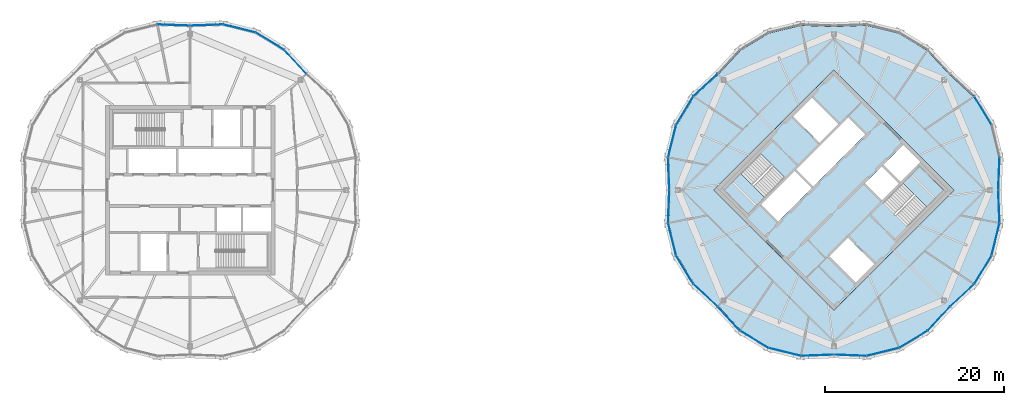
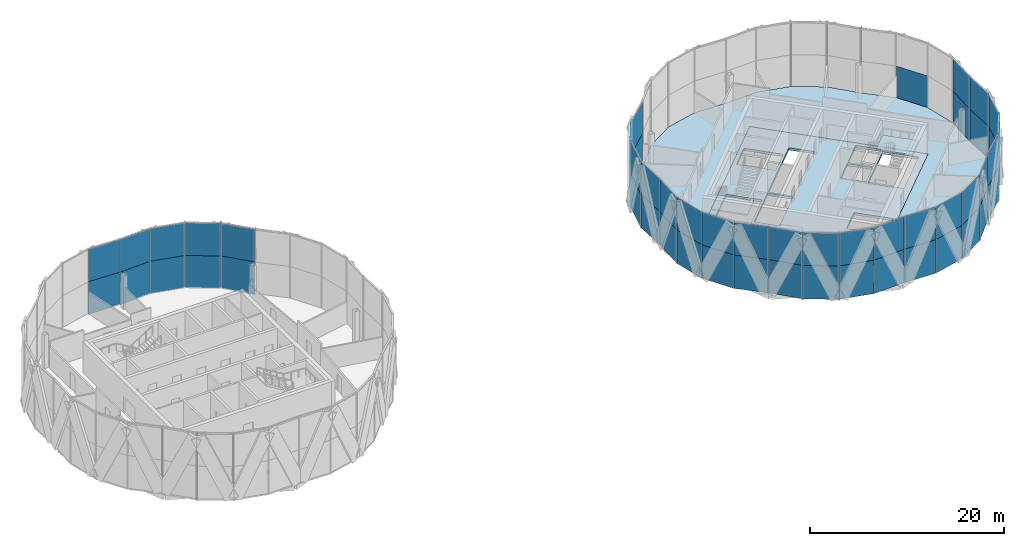
# One storey, part 13 of 22: 53 plates, 4 slabs, 10 elements without a shape of their own.
"""IFC4 building model written with IfcOpenShell, lengths in metres."""

from ifc_helpers import new_model, si_unit, direction, frame, origin, origin_2d, place, context, subcontext, project, spatial, polyline, rectangle, outline, extrude, material, layer, layer_set, type_object, element, aggregate, save


model = new_model("IFC4")

# Units and contexts
model_context = context("Model", 3, precision=1e-05, world=origin(), true_north=direction((0.0, 1.0)))
body_context = subcontext(model_context, "Body", "Model", "MODEL_VIEW")
ifc_project = project(units=[si_unit("LENGTHUNIT", "METRE"), si_unit("AREAUNIT", "SQUARE_METRE"), si_unit("VOLUMEUNIT", "CUBIC_METRE"), si_unit("PLANEANGLEUNIT", "RADIAN"), si_unit("MASSUNIT", "GRAM", prefix="KILO")], contexts=[model_context])

# Site, building, storey
site_placement = place(None, origin())
site = spatial("IfcSite", under=ifc_project, at=site_placement, CompositionType="ELEMENT")
building_placement = place(site_placement, origin())
building = spatial("IfcBuilding", under=site, at=building_placement, Name="Ogive Gate Towers", CompositionType="ELEMENT")
storey_placement = place(building_placement, frame((0.0, 0.0, 285.60009765625)))
storey = spatial("IfcBuildingStorey", under=building, at=storey_placement, Name="L67", CompositionType="ELEMENT", Elevation=285.60009765625)

# Slabs
ifc_material_1 = material(Name="Concrete C40/50", Category="concrete")
ifc_layer_1 = layer(ifc_material_1, 0.300048828125)
ifc_layer_set_1 = layer_set([ifc_layer_1], Name="Core slab C40/50 300 mm")
slab_type_1 = type_object("IfcSlabType", Name="Core slab C40/50 300 mm", PredefinedType="FLOOR", material=ifc_layer_set_1)
slab_1_placement = place(storey_placement, frame((0.0, 0.0, -0.300048828125)))
element("IfcSlab", 1, at=slab_1_placement, inside=storey, type_object=slab_type_1, Name="T2 L67 core slab", PredefinedType="FLOOR", context=body_context, shape_type="SweptSolid", body=[
    extrude(outline(polyline([(36.0, -13.43505859375), (22.56494140625, 0.0), (36.0, 13.43505859375), (49.43505859375, 0.0), (36.0, -13.43505859375)]), holes=[polyline([(29.777587890625, -3.500244140625), (33.525146484375, 0.24755859375), (31.615966796875, 2.15673828125), (27.868408203125, -1.591064453125), (29.777587890625, -3.500244140625)]), polyline([(31.792724609375, 2.33349609375), (33.701904296875, 0.42431640625), (39.500244140625, 6.222412109375), (37.591064453125, 8.131591796875), (31.792724609375, 2.33349609375)]), polyline([(41.3740234375, 2.651611328125), (39.500244140625, 0.77783203125), (41.409423828125, -1.13134765625), (43.283203125, 0.742431640625), (41.3740234375, 2.651611328125)]), polyline([(45.669677734375, 3.12890625), (43.760498046875, 5.0380859375), (41.55078125, 2.828369140625), (43.4599609375, 0.919189453125), (45.669677734375, 3.12890625)]), polyline([(34.408935546875, 5.30322265625), (36.4951171875, 7.389404296875), (33.542724609375, 10.34130859375), (31.456787109375, 8.255615234375), (34.408935546875, 5.30322265625)]), polyline([(35.5048828125, -7.389404296875), (38.457275390625, -10.34130859375), (40.543212890625, -8.255615234375), (37.591064453125, -5.30322265625), (35.5048828125, -7.389404296875)]), polyline([(26.40087890625, -2.70458984375), (30.512939453125, 1.406982421875), (27.80810546875, 4.11181640625), (23.6962890625, 0.0), (26.40087890625, -2.70458984375)]), polyline([(48.3037109375, 0.0), (45.59912109375, 2.70458984375), (41.487060546875, -1.406982421875), (44.19189453125, -4.11181640625), (48.3037109375, 0.0)])]), origin(), (0.0, 0.0, 1.0), 0.300048828125),
])
ifc_material_2 = material(Name="Concrete C35/45", Category="concrete")
ifc_layer_2 = layer(ifc_material_2, 0.300048828125)
ifc_layer_set_2 = layer_set([ifc_layer_2], Name="Floor slab 300")
slab_type_2 = type_object("IfcSlabType", Name="Floor slab 300", PredefinedType="FLOOR", material=ifc_layer_set_2)
slab_2_placement = place(storey_placement, frame((0.0, 0.0, -0.300048828125)))
element("IfcSlab", 2, at=slab_2_placement, inside=storey, type_object=slab_type_2, Name="T2/L67/SSL001", PredefinedType="FLOOR", context=body_context, shape_type="SweptSolid", body=[
    extrude(outline(polyline([(54.438720703125, -3.667724609375), (54.300048828125, 0.0), (54.438720703125, 3.667724609375), (53.5537109375, 7.27099609375), (51.631591796875, 10.44482421875), (48.93994140625, 12.93994140625), (46.44482421875, 15.631591796875), (43.27099609375, 17.5537109375), (39.667724609375, 18.438720703125), (36.0, 18.300048828125), (32.332275390625, 18.438720703125), (28.72900390625, 17.5537109375), (25.55517578125, 15.631591796875), (23.06005859375, 12.93994140625), (20.368408203125, 10.44482421875), (18.4462890625, 7.27099609375), (17.561279296875, 3.667724609375), (17.699951171875, 0.0), (17.561279296875, -3.667724609375), (18.4462890625, -7.27099609375), (20.368408203125, -10.44482421875), (23.06005859375, -12.93994140625), (25.55517578125, -15.631591796875), (28.72900390625, -17.5537109375), (32.332275390625, -18.438720703125), (36.0, -18.300048828125), (39.667724609375, -18.438720703125), (43.27099609375, -17.5537109375), (46.44482421875, -15.631591796875), (48.93994140625, -12.93994140625), (51.631591796875, -10.44482421875), (53.5537109375, -7.27099609375), (54.438720703125, -3.667724609375)]), holes=[polyline([(49.43505859375, 0.0), (36.0, -13.43505859375), (22.56494140625, 0.0), (36.0, 13.43505859375), (49.43505859375, 0.0)])]), origin(), (0.0, 0.0, 1.0), 0.300048828125),
])

# Stair, slab
stair_type = type_object("IfcStairType", Name="Escape stair 1840 wide", PredefinedType="HALF_TURN_STAIR", material=ifc_material_1)
stair_1_placement = place(storey_placement, origin())
stair_1 = element("IfcStair", 3, at=stair_1_placement, inside=storey, type_object=stair_type, Name="L67 Escape stair 1", PredefinedType="HALF_TURN_STAIR")
ifc_layer_3 = layer(ifc_material_1, 0.199951171875)
ifc_layer_set_3 = layer_set([ifc_layer_3], Name="Stair landing 200 mm")
slab_type_3 = type_object("IfcSlabType", Name="Stair landing 200 mm", PredefinedType="LANDING", material=ifc_layer_set_3)
slab_3_placement = place(storey_placement, frame((0.0, 0.0, 1.89990234375)))
slab_3 = element("IfcSlab", 4, at=slab_3_placement, type_object=slab_type_3, Name="ST1 landing 1", PredefinedType="LANDING", context=body_context, shape_type="SweptSolid", body=[
    extrude(outline(polyline([(25.586181640625, 1.8896484375), (23.6962890625, 0.0), (26.401123046875, -2.70458984375), (28.290771484375, -0.81494140625), (25.586181640625, 1.8896484375)])), origin(), (0.0, 0.0, 1.0), 0.199951171875),
])
aggregate(stair_1, [slab_3])

stair_2_placement = place(storey_placement, origin())
stair_2 = element("IfcStair", 5, at=stair_2_placement, inside=storey, type_object=stair_type, Name="L67 Escape stair 2", PredefinedType="HALF_TURN_STAIR")
slab_4_placement = place(storey_placement, frame((0.0, 0.0, 1.89990234375)))
slab_4 = element("IfcSlab", 6, at=slab_4_placement, type_object=slab_type_3, Name="ST2 landing 1", PredefinedType="LANDING", context=body_context, shape_type="SweptSolid", body=[
    extrude(outline(polyline([(46.413818359375, -1.8896484375), (48.3037109375, 0.0), (45.598876953125, 2.70458984375), (43.709228515625, 0.81494140625), (46.413818359375, -1.8896484375)])), origin(), (0.0, 0.0, 1.0), 0.199951171875),
])
aggregate(stair_2, [slab_4])

# Curtain wall, plates
ifc_material_3 = material(Name="Pale metal aluminium", Category="aluminium")
curtain_wall_type = type_object("IfcCurtainWallType", Name="Tower unitised wall, high zone", PredefinedType="NOTDEFINED", material=ifc_material_3)
curtain_wall_1_placement = place(storey_placement, origin())
curtain_wall_1 = element("IfcCurtainWall", 7, at=curtain_wall_1_placement, inside=storey, type_object=curtain_wall_type, Name="CW2 T1 ECW02", PredefinedType="NOTDEFINED")
ifc_material_4 = material(Name="Clear glass", Category="glass")
ifc_layer_4 = layer(ifc_material_4, 0.028076171875)
ifc_layer_set_4 = layer_set([ifc_layer_4], Name="Tower unitised wall, high zone glass panel")
plate_type = type_object("IfcPlateType", Name="Tower unitised wall, high zone glass panel", PredefinedType="CURTAIN_PANEL", material=ifc_layer_set_4)
plate_1_placement = place(storey_placement, frame((-24.239013671875, 14.35888671875, -0.2041015625), z_axis=(0.0, 0.0, 1.0), x_axis=(-0.679863789608, 0.733338412727, 0.0)))
plate_1 = element("IfcPlate", 8, at=plate_1_placement, type_object=plate_type, Name="CW2 glass panel", PredefinedType="CURTAIN_PANEL", context=body_context, shape_type="SweptSolid", body=[
    extrude(rectangle(XDim=3.62255859375, YDim=0.028076171875, at=origin_2d()), origin(), (0.0, 0.0, 1.0), 4.10400390625),
])
plate_2_placement = place(storey_placement, frame((-24.239013671875, 14.35888671875, 3.89990234375), z_axis=(0.0, 0.0, 1.0), x_axis=(-0.679863789608, 0.733338412727, 0.0)))
plate_2 = element("IfcPlate", 9, at=plate_2_placement, type_object=plate_type, Name="CW2 glass panel", PredefinedType="CURTAIN_PANEL", context=body_context, shape_type="SweptSolid", body=[
    extrude(rectangle(XDim=3.62255859375, YDim=0.028076171875, at=origin_2d()), origin(), (0.0, 0.0, 1.0), 4.10400390625),
])
plate_3_placement = place(storey_placement, frame((-27.0908203125, 16.678466796875, -0.2041015625), z_axis=(0.0, 0.0, 1.0), x_axis=(-0.855364260161, 0.518027009373, 0.0)))
plate_3 = element("IfcPlate", 10, at=plate_3_placement, type_object=plate_type, Name="CW2 glass panel", PredefinedType="CURTAIN_PANEL", context=body_context, shape_type="SweptSolid", body=[
    extrude(rectangle(XDim=3.677490234375, YDim=0.028076171875, at=origin_2d()), origin(), (0.0, 0.0, 1.0), 4.10400390625),
])
plate_4_placement = place(storey_placement, frame((-27.0908203125, 16.678466796875, 3.89990234375), z_axis=(0.0, 0.0, 1.0), x_axis=(-0.855364260161, 0.518027009373, 0.0)))
plate_4 = element("IfcPlate", 11, at=plate_4_placement, type_object=plate_type, Name="CW2 glass panel", PredefinedType="CURTAIN_PANEL", context=body_context, shape_type="SweptSolid", body=[
    extrude(rectangle(XDim=3.677490234375, YDim=0.028076171875, at=origin_2d()), origin(), (0.0, 0.0, 1.0), 4.10400390625),
])
plate_5_placement = place(storey_placement, frame((-30.50634765625, 18.09326171875, -0.2041015625), z_axis=(0.0, 0.0, 1.0), x_axis=(-0.971138442956, 0.238516508052, 0.0)))
plate_5 = element("IfcPlate", 12, at=plate_5_placement, type_object=plate_type, Name="CW2 glass panel", PredefinedType="CURTAIN_PANEL", context=body_context, shape_type="SweptSolid", body=[
    extrude(rectangle(XDim=3.677490234375, YDim=0.028076171875, at=origin_2d()), origin(), (0.0, 0.0, 1.0), 4.10400390625),
])
plate_6_placement = place(storey_placement, frame((-30.50634765625, 18.09326171875, 3.89990234375), z_axis=(0.0, 0.0, 1.0), x_axis=(-0.971138442956, 0.238516508052, 0.0)))
plate_6 = element("IfcPlate", 13, at=plate_6_placement, type_object=plate_type, Name="CW2 glass panel", PredefinedType="CURTAIN_PANEL", context=body_context, shape_type="SweptSolid", body=[
    extrude(rectangle(XDim=3.677490234375, YDim=0.028076171875, at=origin_2d()), origin(), (0.0, 0.0, 1.0), 4.10400390625),
])
plate_7_placement = place(storey_placement, frame((-34.1630859375, 18.469482421875, -0.2041015625), z_axis=(0.0, 0.0, 1.0), x_axis=(-0.999285520255, -0.037794827812, 0.0)))
plate_7 = element("IfcPlate", 14, at=plate_7_placement, type_object=plate_type, Name="CW2 glass panel", PredefinedType="CURTAIN_PANEL", context=body_context, shape_type="SweptSolid", body=[
    extrude(rectangle(XDim=3.62255859375, YDim=0.028076171875, at=origin_2d()), origin(), (0.0, 0.0, 1.0), 4.10400390625),
])
plate_8_placement = place(storey_placement, frame((-34.1630859375, 18.469482421875, 3.89990234375), z_axis=(0.0, 0.0, 1.0), x_axis=(-0.999285520255, -0.037794827812, 0.0)))
plate_8 = element("IfcPlate", 15, at=plate_8_placement, type_object=plate_type, Name="CW2 glass panel", PredefinedType="CURTAIN_PANEL", context=body_context, shape_type="SweptSolid", body=[
    extrude(rectangle(XDim=3.62255859375, YDim=0.028076171875, at=origin_2d()), origin(), (0.0, 0.0, 1.0), 4.10400390625),
])
aggregate(curtain_wall_1, [plate_1, plate_2, plate_3, plate_4, plate_5, plate_6, plate_7, plate_8])

curtain_wall_2_placement = place(storey_placement, origin())
curtain_wall_2 = element("IfcCurtainWall", 16, at=curtain_wall_2_placement, inside=storey, type_object=curtain_wall_type, Name="CW2 T1 ECW03", PredefinedType="NOTDEFINED")
plate_9_placement = place(storey_placement, frame((-37.8369140625, 18.469482421875, -0.2041015625), z_axis=(0.0, 0.0, 1.0), x_axis=(-0.999285520255, 0.037794827812, 0.0)))
plate_9 = element("IfcPlate", 17, at=plate_9_placement, type_object=plate_type, Name="CW2 glass panel", PredefinedType="CURTAIN_PANEL", context=body_context, shape_type="SweptSolid", body=[
    extrude(rectangle(XDim=3.62255859375, YDim=0.028076171875, at=origin_2d()), origin(), (0.0, 0.0, 1.0), 4.10400390625),
])
plate_10_placement = place(storey_placement, frame((-37.8369140625, 18.469482421875, 3.89990234375), z_axis=(0.0, 0.0, 1.0), x_axis=(-0.999285520255, 0.037794827812, 0.0)))
plate_10 = element("IfcPlate", 18, at=plate_10_placement, type_object=plate_type, Name="CW2 glass panel", PredefinedType="CURTAIN_PANEL", context=body_context, shape_type="SweptSolid", body=[
    extrude(rectangle(XDim=3.62255859375, YDim=0.028076171875, at=origin_2d()), origin(), (0.0, 0.0, 1.0), 4.10400390625),
])
aggregate(curtain_wall_2, [plate_9, plate_10])

curtain_wall_3_placement = place(storey_placement, origin())
curtain_wall_3 = element("IfcCurtainWall", 19, at=curtain_wall_3_placement, inside=storey, type_object=curtain_wall_type, Name="CW2 T2 ECW01", PredefinedType="NOTDEFINED")
plate_11_placement = place(storey_placement, frame((54.469482421875, 1.8369140625, -0.30029296875), z_axis=(0.0, 0.0, 1.0), x_axis=(0.037794827812, 0.999285520255, 0.0)))
plate_11 = element("IfcPlate", 20, at=plate_11_placement, type_object=plate_type, Name="CW2 glass panel", PredefinedType="CURTAIN_PANEL", context=body_context, shape_type="SweptSolid", body=[
    extrude(rectangle(XDim=3.62255859375, YDim=0.028076171875, at=origin_2d()), origin(), (0.0, 0.0, 1.0), 4.199951171875),
])
plate_12_placement = place(storey_placement, frame((54.469482421875, 1.8369140625, 3.89990234375), z_axis=(0.0, 0.0, 1.0), x_axis=(0.037794827812, 0.999285520255, 0.0)))
plate_12 = element("IfcPlate", 21, at=plate_12_placement, type_object=plate_type, Name="CW2 glass panel", PredefinedType="CURTAIN_PANEL", context=body_context, shape_type="SweptSolid", body=[
    extrude(rectangle(XDim=3.62255859375, YDim=0.028076171875, at=origin_2d()), origin(), (0.0, 0.0, 1.0), 4.10400390625),
])
plate_13_placement = place(storey_placement, frame((52.678466796875, 8.9091796875, -0.30029296875), z_axis=(0.0, 0.0, 1.0), x_axis=(-0.518027009373, 0.855364260161, 0.0)))
plate_13 = element("IfcPlate", 22, at=plate_13_placement, type_object=plate_type, Name="CW2 glass panel", PredefinedType="CURTAIN_PANEL", context=body_context, shape_type="SweptSolid", body=[
    extrude(rectangle(XDim=3.677490234375, YDim=0.028076171875, at=origin_2d()), origin(), (0.0, 0.0, 1.0), 4.199951171875),
])
aggregate(curtain_wall_3, [plate_11, plate_12, plate_13])

curtain_wall_4_placement = place(storey_placement, origin())
curtain_wall_4 = element("IfcCurtainWall", 23, at=curtain_wall_4_placement, inside=storey, type_object=curtain_wall_type, Name="CW2 T2 ECW04", PredefinedType="NOTDEFINED")
plate_14_placement = place(storey_placement, frame((21.64111328125, 11.760986328125, -0.30029296875), z_axis=(0.0, 0.0, 1.0), x_axis=(-0.733338412727, -0.679863789608, 0.0)))
plate_14 = element("IfcPlate", 24, at=plate_14_placement, type_object=plate_type, Name="CW2 glass panel", PredefinedType="CURTAIN_PANEL", context=body_context, shape_type="SweptSolid", body=[
    extrude(rectangle(XDim=3.62255859375, YDim=0.028076171875, at=origin_2d()), origin(), (0.0, 0.0, 1.0), 4.199951171875),
])
plate_15_placement = place(storey_placement, frame((21.64111328125, 11.760986328125, 3.89990234375), z_axis=(0.0, 0.0, 1.0), x_axis=(-0.733338412727, -0.679863789608, 0.0)))
plate_15 = element("IfcPlate", 25, at=plate_15_placement, type_object=plate_type, Name="CW2 glass panel", PredefinedType="CURTAIN_PANEL", context=body_context, shape_type="SweptSolid", body=[
    extrude(rectangle(XDim=3.62255859375, YDim=0.028076171875, at=origin_2d()), origin(), (0.0, 0.0, 1.0), 4.10400390625),
])
plate_16_placement = place(storey_placement, frame((19.321533203125, 8.9091796875, -0.30029296875), z_axis=(0.0, 0.0, 1.0), x_axis=(-0.518027009373, -0.855364260161, 0.0)))
plate_16 = element("IfcPlate", 26, at=plate_16_placement, type_object=plate_type, Name="CW2 glass panel", PredefinedType="CURTAIN_PANEL", context=body_context, shape_type="SweptSolid", body=[
    extrude(rectangle(XDim=3.677490234375, YDim=0.028076171875, at=origin_2d()), origin(), (0.0, 0.0, 1.0), 4.199951171875),
])
plate_17_placement = place(storey_placement, frame((19.321533203125, 8.9091796875, 3.89990234375), z_axis=(0.0, 0.0, 1.0), x_axis=(-0.518027009373, -0.855364260161, 0.0)))
plate_17 = element("IfcPlate", 27, at=plate_17_placement, type_object=plate_type, Name="CW2 glass panel", PredefinedType="CURTAIN_PANEL", context=body_context, shape_type="SweptSolid", body=[
    extrude(rectangle(XDim=3.677490234375, YDim=0.028076171875, at=origin_2d()), origin(), (0.0, 0.0, 1.0), 4.10400390625),
])
plate_18_placement = place(storey_placement, frame((17.90673828125, 5.49365234375, -0.30029296875), z_axis=(0.0, 0.0, 1.0), x_axis=(-0.238516508052, -0.971138442956, 0.0)))
plate_18 = element("IfcPlate", 28, at=plate_18_placement, type_object=plate_type, Name="CW2 glass panel", PredefinedType="CURTAIN_PANEL", context=body_context, shape_type="SweptSolid", body=[
    extrude(rectangle(XDim=3.677490234375, YDim=0.028076171875, at=origin_2d()), origin(), (0.0, 0.0, 1.0), 4.199951171875),
])
plate_19_placement = place(storey_placement, frame((17.90673828125, 5.49365234375, 3.89990234375), z_axis=(0.0, 0.0, 1.0), x_axis=(-0.238516508052, -0.971138442956, 0.0)))
plate_19 = element("IfcPlate", 29, at=plate_19_placement, type_object=plate_type, Name="CW2 glass panel", PredefinedType="CURTAIN_PANEL", context=body_context, shape_type="SweptSolid", body=[
    extrude(rectangle(XDim=3.677490234375, YDim=0.028076171875, at=origin_2d()), origin(), (0.0, 0.0, 1.0), 4.10400390625),
])
plate_20_placement = place(storey_placement, frame((17.530517578125, 1.8369140625, -0.30029296875), z_axis=(0.0, 0.0, 1.0), x_axis=(0.037794827812, -0.999285520255, 0.0)))
plate_20 = element("IfcPlate", 30, at=plate_20_placement, type_object=plate_type, Name="CW2 glass panel", PredefinedType="CURTAIN_PANEL", context=body_context, shape_type="SweptSolid", body=[
    extrude(rectangle(XDim=3.62255859375, YDim=0.028076171875, at=origin_2d()), origin(), (0.0, 0.0, 1.0), 4.199951171875),
])
plate_21_placement = place(storey_placement, frame((17.530517578125, 1.8369140625, 3.89990234375), z_axis=(0.0, 0.0, 1.0), x_axis=(0.037794827812, -0.999285520255, 0.0)))
plate_21 = element("IfcPlate", 31, at=plate_21_placement, type_object=plate_type, Name="CW2 glass panel", PredefinedType="CURTAIN_PANEL", context=body_context, shape_type="SweptSolid", body=[
    extrude(rectangle(XDim=3.62255859375, YDim=0.028076171875, at=origin_2d()), origin(), (0.0, 0.0, 1.0), 4.10400390625),
])
aggregate(curtain_wall_4, [plate_14, plate_15, plate_16, plate_17, plate_18, plate_19, plate_20, plate_21])

curtain_wall_5_placement = place(storey_placement, origin())
curtain_wall_5 = element("IfcCurtainWall", 32, at=curtain_wall_5_placement, inside=storey, type_object=curtain_wall_type, Name="CW2 T2 ECW05", PredefinedType="NOTDEFINED")
plate_22_placement = place(storey_placement, frame((17.530517578125, -1.8369140625, -0.30029296875), z_axis=(0.0, 0.0, 1.0), x_axis=(-0.037794827812, -0.999285520255, 0.0)))
plate_22 = element("IfcPlate", 33, at=plate_22_placement, type_object=plate_type, Name="CW2 glass panel", PredefinedType="CURTAIN_PANEL", context=body_context, shape_type="SweptSolid", body=[
    extrude(rectangle(XDim=3.62255859375, YDim=0.028076171875, at=origin_2d()), origin(), (0.0, 0.0, 1.0), 4.199951171875),
])
plate_23_placement = place(storey_placement, frame((17.530517578125, -1.8369140625, 3.89990234375), z_axis=(0.0, 0.0, 1.0), x_axis=(-0.037794827812, -0.999285520255, 0.0)))
plate_23 = element("IfcPlate", 34, at=plate_23_placement, type_object=plate_type, Name="CW2 glass panel", PredefinedType="CURTAIN_PANEL", context=body_context, shape_type="SweptSolid", body=[
    extrude(rectangle(XDim=3.62255859375, YDim=0.028076171875, at=origin_2d()), origin(), (0.0, 0.0, 1.0), 4.10400390625),
])
plate_24_placement = place(storey_placement, frame((17.90673828125, -5.49365234375, -0.30029296875), z_axis=(0.0, 0.0, 1.0), x_axis=(0.238516508052, -0.971138442956, 0.0)))
plate_24 = element("IfcPlate", 35, at=plate_24_placement, type_object=plate_type, Name="CW2 glass panel", PredefinedType="CURTAIN_PANEL", context=body_context, shape_type="SweptSolid", body=[
    extrude(rectangle(XDim=3.677490234375, YDim=0.028076171875, at=origin_2d()), origin(), (0.0, 0.0, 1.0), 4.199951171875),
])
plate_25_placement = place(storey_placement, frame((17.90673828125, -5.49365234375, 3.89990234375), z_axis=(0.0, 0.0, 1.0), x_axis=(0.238516508052, -0.971138442956, 0.0)))
plate_25 = element("IfcPlate", 36, at=plate_25_placement, type_object=plate_type, Name="CW2 glass panel", PredefinedType="CURTAIN_PANEL", context=body_context, shape_type="SweptSolid", body=[
    extrude(rectangle(XDim=3.677490234375, YDim=0.028076171875, at=origin_2d()), origin(), (0.0, 0.0, 1.0), 4.10400390625),
])
plate_26_placement = place(storey_placement, frame((19.321533203125, -8.9091796875, -0.30029296875), z_axis=(0.0, 0.0, 1.0), x_axis=(0.518027009373, -0.855364260161, 0.0)))
plate_26 = element("IfcPlate", 37, at=plate_26_placement, type_object=plate_type, Name="CW2 glass panel", PredefinedType="CURTAIN_PANEL", context=body_context, shape_type="SweptSolid", body=[
    extrude(rectangle(XDim=3.677490234375, YDim=0.028076171875, at=origin_2d()), origin(), (0.0, 0.0, 1.0), 4.199951171875),
])
plate_27_placement = place(storey_placement, frame((19.321533203125, -8.9091796875, 3.89990234375), z_axis=(0.0, 0.0, 1.0), x_axis=(0.518027009373, -0.855364260161, 0.0)))
plate_27 = element("IfcPlate", 38, at=plate_27_placement, type_object=plate_type, Name="CW2 glass panel", PredefinedType="CURTAIN_PANEL", context=body_context, shape_type="SweptSolid", body=[
    extrude(rectangle(XDim=3.677490234375, YDim=0.028076171875, at=origin_2d()), origin(), (0.0, 0.0, 1.0), 4.10400390625),
])
plate_28_placement = place(storey_placement, frame((21.64111328125, -11.760986328125, -0.30029296875), z_axis=(0.0, 0.0, 1.0), x_axis=(0.733338412727, -0.679863789608, 0.0)))
plate_28 = element("IfcPlate", 39, at=plate_28_placement, type_object=plate_type, Name="CW2 glass panel", PredefinedType="CURTAIN_PANEL", context=body_context, shape_type="SweptSolid", body=[
    extrude(rectangle(XDim=3.62255859375, YDim=0.028076171875, at=origin_2d()), origin(), (0.0, 0.0, 1.0), 4.199951171875),
])
plate_29_placement = place(storey_placement, frame((21.64111328125, -11.760986328125, 3.89990234375), z_axis=(0.0, 0.0, 1.0), x_axis=(0.733338412727, -0.679863789608, 0.0)))
plate_29 = element("IfcPlate", 40, at=plate_29_placement, type_object=plate_type, Name="CW2 glass panel", PredefinedType="CURTAIN_PANEL", context=body_context, shape_type="SweptSolid", body=[
    extrude(rectangle(XDim=3.62255859375, YDim=0.028076171875, at=origin_2d()), origin(), (0.0, 0.0, 1.0), 4.10400390625),
])
aggregate(curtain_wall_5, [plate_22, plate_23, plate_24, plate_25, plate_26, plate_27, plate_28, plate_29])

curtain_wall_6_placement = place(storey_placement, origin())
curtain_wall_6 = element("IfcCurtainWall", 41, at=curtain_wall_6_placement, inside=storey, type_object=curtain_wall_type, Name="CW2 T2 ECW06", PredefinedType="NOTDEFINED")
plate_30_placement = place(storey_placement, frame((24.239013671875, -14.35888671875, -0.30029296875), z_axis=(0.0, 0.0, 1.0), x_axis=(0.679863789608, -0.733338412727, 0.0)))
plate_30 = element("IfcPlate", 42, at=plate_30_placement, type_object=plate_type, Name="CW2 glass panel", PredefinedType="CURTAIN_PANEL", context=body_context, shape_type="SweptSolid", body=[
    extrude(rectangle(XDim=3.62255859375, YDim=0.028076171875, at=origin_2d()), origin(), (0.0, 0.0, 1.0), 4.199951171875),
])
plate_31_placement = place(storey_placement, frame((24.239013671875, -14.35888671875, 3.89990234375), z_axis=(0.0, 0.0, 1.0), x_axis=(0.679863789608, -0.733338412727, 0.0)))
plate_31 = element("IfcPlate", 43, at=plate_31_placement, type_object=plate_type, Name="CW2 glass panel", PredefinedType="CURTAIN_PANEL", context=body_context, shape_type="SweptSolid", body=[
    extrude(rectangle(XDim=3.62255859375, YDim=0.028076171875, at=origin_2d()), origin(), (0.0, 0.0, 1.0), 4.10400390625),
])
plate_32_placement = place(storey_placement, frame((27.0908203125, -16.678466796875, -0.30029296875), z_axis=(0.0, 0.0, 1.0), x_axis=(0.855364260161, -0.518027009373, 0.0)))
plate_32 = element("IfcPlate", 44, at=plate_32_placement, type_object=plate_type, Name="CW2 glass panel", PredefinedType="CURTAIN_PANEL", context=body_context, shape_type="SweptSolid", body=[
    extrude(rectangle(XDim=3.677490234375, YDim=0.028076171875, at=origin_2d()), origin(), (0.0, 0.0, 1.0), 4.199951171875),
])
plate_33_placement = place(storey_placement, frame((27.0908203125, -16.678466796875, 3.89990234375), z_axis=(0.0, 0.0, 1.0), x_axis=(0.855364260161, -0.518027009373, 0.0)))
plate_33 = element("IfcPlate", 45, at=plate_33_placement, type_object=plate_type, Name="CW2 glass panel", PredefinedType="CURTAIN_PANEL", context=body_context, shape_type="SweptSolid", body=[
    extrude(rectangle(XDim=3.677490234375, YDim=0.028076171875, at=origin_2d()), origin(), (0.0, 0.0, 1.0), 4.10400390625),
])
plate_34_placement = place(storey_placement, frame((30.50634765625, -18.09326171875, -0.30029296875), z_axis=(0.0, 0.0, 1.0), x_axis=(0.971138442956, -0.238516508052, 0.0)))
plate_34 = element("IfcPlate", 46, at=plate_34_placement, type_object=plate_type, Name="CW2 glass panel", PredefinedType="CURTAIN_PANEL", context=body_context, shape_type="SweptSolid", body=[
    extrude(rectangle(XDim=3.677490234375, YDim=0.028076171875, at=origin_2d()), origin(), (0.0, 0.0, 1.0), 4.199951171875),
])
plate_35_placement = place(storey_placement, frame((30.50634765625, -18.09326171875, 3.89990234375), z_axis=(0.0, 0.0, 1.0), x_axis=(0.971138442956, -0.238516508052, 0.0)))
plate_35 = element("IfcPlate", 47, at=plate_35_placement, type_object=plate_type, Name="CW2 glass panel", PredefinedType="CURTAIN_PANEL", context=body_context, shape_type="SweptSolid", body=[
    extrude(rectangle(XDim=3.677490234375, YDim=0.028076171875, at=origin_2d()), origin(), (0.0, 0.0, 1.0), 4.10400390625),
])
plate_36_placement = place(storey_placement, frame((34.1630859375, -18.469482421875, -0.30029296875), z_axis=(0.0, 0.0, 1.0), x_axis=(0.999285520255, 0.037794827812, 0.0)))
plate_36 = element("IfcPlate", 48, at=plate_36_placement, type_object=plate_type, Name="CW2 glass panel", PredefinedType="CURTAIN_PANEL", context=body_context, shape_type="SweptSolid", body=[
    extrude(rectangle(XDim=3.62255859375, YDim=0.028076171875, at=origin_2d()), origin(), (0.0, 0.0, 1.0), 4.199951171875),
])
plate_37_placement = place(storey_placement, frame((34.1630859375, -18.469482421875, 3.89990234375), z_axis=(0.0, 0.0, 1.0), x_axis=(0.999285520255, 0.037794827812, 0.0)))
plate_37 = element("IfcPlate", 49, at=plate_37_placement, type_object=plate_type, Name="CW2 glass panel", PredefinedType="CURTAIN_PANEL", context=body_context, shape_type="SweptSolid", body=[
    extrude(rectangle(XDim=3.62255859375, YDim=0.028076171875, at=origin_2d()), origin(), (0.0, 0.0, 1.0), 4.10400390625),
])
aggregate(curtain_wall_6, [plate_30, plate_31, plate_32, plate_33, plate_34, plate_35, plate_36, plate_37])

curtain_wall_7_placement = place(storey_placement, origin())
curtain_wall_7 = element("IfcCurtainWall", 50, at=curtain_wall_7_placement, inside=storey, type_object=curtain_wall_type, Name="CW2 T2 ECW07", PredefinedType="NOTDEFINED")
plate_38_placement = place(storey_placement, frame((37.8369140625, -18.469482421875, -0.30029296875), z_axis=(0.0, 0.0, 1.0), x_axis=(0.999285520255, -0.037794827812, 0.0)))
plate_38 = element("IfcPlate", 51, at=plate_38_placement, type_object=plate_type, Name="CW2 glass panel", PredefinedType="CURTAIN_PANEL", context=body_context, shape_type="SweptSolid", body=[
    extrude(rectangle(XDim=3.62255859375, YDim=0.028076171875, at=origin_2d()), origin(), (0.0, 0.0, 1.0), 4.199951171875),
])
plate_39_placement = place(storey_placement, frame((37.8369140625, -18.469482421875, 3.89990234375), z_axis=(0.0, 0.0, 1.0), x_axis=(0.999285520255, -0.037794827812, 0.0)))
plate_39 = element("IfcPlate", 52, at=plate_39_placement, type_object=plate_type, Name="CW2 glass panel", PredefinedType="CURTAIN_PANEL", context=body_context, shape_type="SweptSolid", body=[
    extrude(rectangle(XDim=3.62255859375, YDim=0.028076171875, at=origin_2d()), origin(), (0.0, 0.0, 1.0), 4.10400390625),
])
plate_40_placement = place(storey_placement, frame((41.49365234375, -18.09326171875, -0.30029296875), z_axis=(0.0, 0.0, 1.0), x_axis=(0.971138442956, 0.238516508052, 0.0)))
plate_40 = element("IfcPlate", 53, at=plate_40_placement, type_object=plate_type, Name="CW2 glass panel", PredefinedType="CURTAIN_PANEL", context=body_context, shape_type="SweptSolid", body=[
    extrude(rectangle(XDim=3.677490234375, YDim=0.028076171875, at=origin_2d()), origin(), (0.0, 0.0, 1.0), 4.199951171875),
])
plate_41_placement = place(storey_placement, frame((41.49365234375, -18.09326171875, 3.89990234375), z_axis=(0.0, 0.0, 1.0), x_axis=(0.971138442956, 0.238516508052, 0.0)))
plate_41 = element("IfcPlate", 54, at=plate_41_placement, type_object=plate_type, Name="CW2 glass panel", PredefinedType="CURTAIN_PANEL", context=body_context, shape_type="SweptSolid", body=[
    extrude(rectangle(XDim=3.677490234375, YDim=0.028076171875, at=origin_2d()), origin(), (0.0, 0.0, 1.0), 4.10400390625),
])
plate_42_placement = place(storey_placement, frame((44.9091796875, -16.678466796875, -0.30029296875), z_axis=(0.0, 0.0, 1.0), x_axis=(0.855364260161, 0.518027009373, 0.0)))
plate_42 = element("IfcPlate", 55, at=plate_42_placement, type_object=plate_type, Name="CW2 glass panel", PredefinedType="CURTAIN_PANEL", context=body_context, shape_type="SweptSolid", body=[
    extrude(rectangle(XDim=3.677490234375, YDim=0.028076171875, at=origin_2d()), origin(), (0.0, 0.0, 1.0), 4.199951171875),
])
plate_43_placement = place(storey_placement, frame((44.9091796875, -16.678466796875, 3.89990234375), z_axis=(0.0, 0.0, 1.0), x_axis=(0.855364260161, 0.518027009373, 0.0)))
plate_43 = element("IfcPlate", 56, at=plate_43_placement, type_object=plate_type, Name="CW2 glass panel", PredefinedType="CURTAIN_PANEL", context=body_context, shape_type="SweptSolid", body=[
    extrude(rectangle(XDim=3.677490234375, YDim=0.028076171875, at=origin_2d()), origin(), (0.0, 0.0, 1.0), 4.10400390625),
])
plate_44_placement = place(storey_placement, frame((47.760986328125, -14.35888671875, -0.30029296875), z_axis=(0.0, 0.0, 1.0), x_axis=(0.679863789608, 0.733338412727, 0.0)))
plate_44 = element("IfcPlate", 57, at=plate_44_placement, type_object=plate_type, Name="CW2 glass panel", PredefinedType="CURTAIN_PANEL", context=body_context, shape_type="SweptSolid", body=[
    extrude(rectangle(XDim=3.62255859375, YDim=0.028076171875, at=origin_2d()), origin(), (0.0, 0.0, 1.0), 4.199951171875),
])
plate_45_placement = place(storey_placement, frame((47.760986328125, -14.35888671875, 3.89990234375), z_axis=(0.0, 0.0, 1.0), x_axis=(0.679863789608, 0.733338412727, 0.0)))
plate_45 = element("IfcPlate", 58, at=plate_45_placement, type_object=plate_type, Name="CW2 glass panel", PredefinedType="CURTAIN_PANEL", context=body_context, shape_type="SweptSolid", body=[
    extrude(rectangle(XDim=3.62255859375, YDim=0.028076171875, at=origin_2d()), origin(), (0.0, 0.0, 1.0), 4.10400390625),
])
aggregate(curtain_wall_7, [plate_38, plate_39, plate_40, plate_41, plate_42, plate_43, plate_44, plate_45])

curtain_wall_8_placement = place(storey_placement, origin())
curtain_wall_8 = element("IfcCurtainWall", 59, at=curtain_wall_8_placement, inside=storey, type_object=curtain_wall_type, Name="CW2 T2 ECW08", PredefinedType="NOTDEFINED")
plate_46_placement = place(storey_placement, frame((50.35888671875, -11.760986328125, -0.30029296875), z_axis=(0.0, 0.0, 1.0), x_axis=(0.733338412727, 0.679863789608, 0.0)))
plate_46 = element("IfcPlate", 60, at=plate_46_placement, type_object=plate_type, Name="CW2 glass panel", PredefinedType="CURTAIN_PANEL", context=body_context, shape_type="SweptSolid", body=[
    extrude(rectangle(XDim=3.62255859375, YDim=0.028076171875, at=origin_2d()), origin(), (0.0, 0.0, 1.0), 4.199951171875),
])
plate_47_placement = place(storey_placement, frame((50.35888671875, -11.760986328125, 3.89990234375), z_axis=(0.0, 0.0, 1.0), x_axis=(0.733338412727, 0.679863789608, 0.0)))
plate_47 = element("IfcPlate", 61, at=plate_47_placement, type_object=plate_type, Name="CW2 glass panel", PredefinedType="CURTAIN_PANEL", context=body_context, shape_type="SweptSolid", body=[
    extrude(rectangle(XDim=3.62255859375, YDim=0.028076171875, at=origin_2d()), origin(), (0.0, 0.0, 1.0), 4.10400390625),
])
plate_48_placement = place(storey_placement, frame((52.678466796875, -8.9091796875, -0.30029296875), z_axis=(0.0, 0.0, 1.0), x_axis=(0.518027009373, 0.855364260161, 0.0)))
plate_48 = element("IfcPlate", 62, at=plate_48_placement, type_object=plate_type, Name="CW2 glass panel", PredefinedType="CURTAIN_PANEL", context=body_context, shape_type="SweptSolid", body=[
    extrude(rectangle(XDim=3.677490234375, YDim=0.028076171875, at=origin_2d()), origin(), (0.0, 0.0, 1.0), 4.199951171875),
])
plate_49_placement = place(storey_placement, frame((52.678466796875, -8.9091796875, 3.89990234375), z_axis=(0.0, 0.0, 1.0), x_axis=(0.518027009373, 0.855364260161, 0.0)))
plate_49 = element("IfcPlate", 63, at=plate_49_placement, type_object=plate_type, Name="CW2 glass panel", PredefinedType="CURTAIN_PANEL", context=body_context, shape_type="SweptSolid", body=[
    extrude(rectangle(XDim=3.677490234375, YDim=0.028076171875, at=origin_2d()), origin(), (0.0, 0.0, 1.0), 4.10400390625),
])
plate_50_placement = place(storey_placement, frame((54.09326171875, -5.49365234375, -0.30029296875), z_axis=(0.0, 0.0, 1.0), x_axis=(0.238516508052, 0.971138442956, 0.0)))
plate_50 = element("IfcPlate", 64, at=plate_50_placement, type_object=plate_type, Name="CW2 glass panel", PredefinedType="CURTAIN_PANEL", context=body_context, shape_type="SweptSolid", body=[
    extrude(rectangle(XDim=3.677490234375, YDim=0.028076171875, at=origin_2d()), origin(), (0.0, 0.0, 1.0), 4.199951171875),
])
plate_51_placement = place(storey_placement, frame((54.09326171875, -5.49365234375, 3.89990234375), z_axis=(0.0, 0.0, 1.0), x_axis=(0.238516508052, 0.971138442956, 0.0)))
plate_51 = element("IfcPlate", 65, at=plate_51_placement, type_object=plate_type, Name="CW2 glass panel", PredefinedType="CURTAIN_PANEL", context=body_context, shape_type="SweptSolid", body=[
    extrude(rectangle(XDim=3.677490234375, YDim=0.028076171875, at=origin_2d()), origin(), (0.0, 0.0, 1.0), 4.10400390625),
])
plate_52_placement = place(storey_placement, frame((54.469482421875, -1.8369140625, -0.30029296875), z_axis=(0.0, 0.0, 1.0), x_axis=(-0.037794827812, 0.999285520255, 0.0)))
plate_52 = element("IfcPlate", 66, at=plate_52_placement, type_object=plate_type, Name="CW2 glass panel", PredefinedType="CURTAIN_PANEL", context=body_context, shape_type="SweptSolid", body=[
    extrude(rectangle(XDim=3.62255859375, YDim=0.028076171875, at=origin_2d()), origin(), (0.0, 0.0, 1.0), 4.199951171875),
])
plate_53_placement = place(storey_placement, frame((54.469482421875, -1.8369140625, 3.89990234375), z_axis=(0.0, 0.0, 1.0), x_axis=(-0.037794827812, 0.999285520255, 0.0)))
plate_53 = element("IfcPlate", 67, at=plate_53_placement, type_object=plate_type, Name="CW2 glass panel", PredefinedType="CURTAIN_PANEL", context=body_context, shape_type="SweptSolid", body=[
    extrude(rectangle(XDim=3.62255859375, YDim=0.028076171875, at=origin_2d()), origin(), (0.0, 0.0, 1.0), 4.10400390625),
])
aggregate(curtain_wall_8, [plate_46, plate_47, plate_48, plate_49, plate_50, plate_51, plate_52, plate_53])

save(model, "model.ifc")
